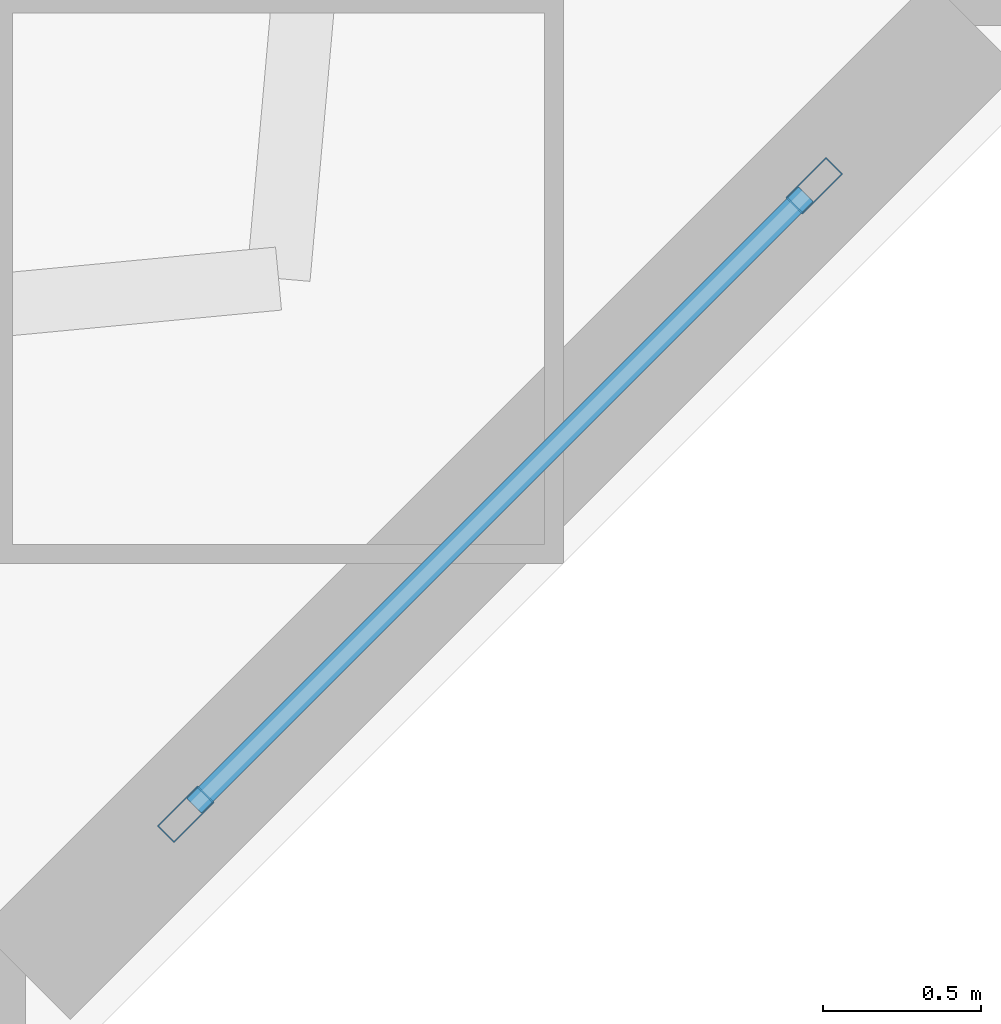
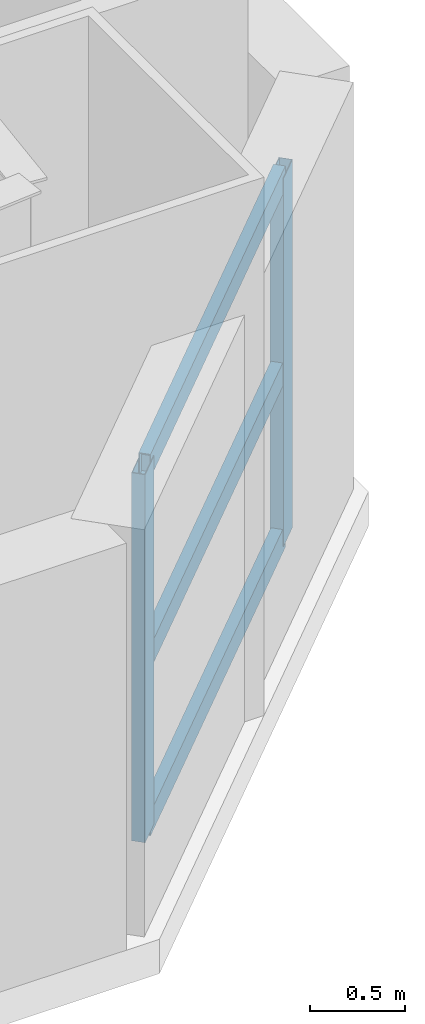
# One storey, part 2 of 19: 5 members, 1 element without a shape of its own.
"""IFC4 building model written with IfcOpenShell, lengths in metres."""

from ifc_helpers import new_model, si_unit, direction, frame, origin, origin_2d, place, context, subcontext, project, spatial, hollow_rectangle, extrude, material, layer, layer_set, material_profile, profile_set, type_object, element, aggregate, save


model = new_model("IFC4")

# Units and contexts
model_context = context("Model", 3, precision=1e-05, world=origin(), true_north=direction((0.0, 1.0)))
body_context = subcontext(model_context, "Body", "Model", "MODEL_VIEW")
ifc_project = project(units=[si_unit("LENGTHUNIT", "METRE"), si_unit("AREAUNIT", "SQUARE_METRE"), si_unit("VOLUMEUNIT", "CUBIC_METRE"), si_unit("PLANEANGLEUNIT", "RADIAN"), si_unit("MASSUNIT", "GRAM", prefix="KILO")], contexts=[model_context])

# Site, building, storey
site_placement = place(None, origin())
site = spatial("IfcSite", under=ifc_project, at=site_placement, CompositionType="ELEMENT")
building_placement = place(site_placement, origin())
building = spatial("IfcBuilding", under=site, at=building_placement, Name="Qiaolan Cultural Towers", CompositionType="ELEMENT")
storey_placement = place(building_placement, frame((0.0, 0.0, 54.050048828125)))
storey = spatial("IfcBuildingStorey", under=building, at=storey_placement, Name="L12", CompositionType="ELEMENT", Elevation=54.050048828125)

# Curtain wall, members
ifc_material_1 = material(Name="Unitized Anodized Aluminium Curtain Wall System", Category="aluminium")
ifc_layer = layer(ifc_material_1, 0.199951171875)
ifc_layer_set = layer_set([ifc_layer], Name="Unitized Anodized Aluminium Curtain Wall System")
curtain_wall_type = type_object("IfcCurtainWallType", Name="CWS-02", PredefinedType="NOTDEFINED", material=ifc_layer_set)
curtain_wall_placement = place(storey_placement, origin())
curtain_wall = element("IfcCurtainWall", 1, at=curtain_wall_placement, inside=storey, type_object=curtain_wall_type, Name="L12 T1 Chamfer Wind-Corner Feature Curtain Wall 2", PredefinedType="NOTDEFINED")
ifc_material_2 = material(Name="Extruded Aluminium 6063-T6", Category="aluminium")
ifc_material_profile_1 = material_profile(ifc_material_2, hollow_rectangle(XDim=0.074951171875, YDim=0.179931640625, WallThickness=0.00390625, at=origin_2d()), Name="CWM-180x75x4")
ifc_profile_set_1 = profile_set([ifc_material_profile_1], Name="Extruded Aluminium 6063-T6")
member_type_1 = type_object("IfcMemberType", Name="CWS-02-MUL", PredefinedType="MULLION", material=ifc_profile_set_1)
member_1_placement = place(storey_placement, frame((49.093505859375, 6.693603515625, 0.14990234375), z_axis=(0.0, 0.0, 1.0), x_axis=(0.707106781187, -0.707106781187, 0.0)))
member_1 = element("IfcMember", 2, at=member_1_placement, type_object=member_type_1, Name="CW-2 mullion 1", PredefinedType="MULLION", context=body_context, shape_type="SweptSolid", body=[
    extrude(hollow_rectangle(XDim=0.074951171875, YDim=0.179931640625, WallThickness=0.00390625, at=origin_2d()), origin(), (0.0, 0.0, 1.0), 2.360107421875),
])
member_2_placement = place(storey_placement, frame((47.1064453125, 4.70654296875, 0.14990234375), z_axis=(0.0, 0.0, 1.0), x_axis=(0.707106781187, -0.707106781187, 0.0)))
member_2 = element("IfcMember", 3, at=member_2_placement, type_object=member_type_1, Name="CW-2 mullion 2", PredefinedType="MULLION", context=body_context, shape_type="SweptSolid", body=[
    extrude(hollow_rectangle(XDim=0.074951171875, YDim=0.179931640625, WallThickness=0.00390625, at=origin_2d()), origin(), (0.0, 0.0, 1.0), 2.360107421875),
])
ifc_material_3 = material(Name="Extruded Aluminium 6063-T6", Category="aluminium")
ifc_material_profile_2 = material_profile(ifc_material_3, hollow_rectangle(XDim=0.06494140625, YDim=0.14990234375, WallThickness=0.00390625, at=origin_2d()), Name="CWT-150x65x4")
ifc_profile_set_2 = profile_set([ifc_material_profile_2], Name="Extruded Aluminium 6063-T6")
member_type_2 = type_object("IfcMemberType", Name="CWS-02-TRN", PredefinedType="USERDEFINED", material=ifc_profile_set_2)
member_3_placement = place(storey_placement, frame((49.06689453125, 6.6669921875, 0.182373046875), z_axis=(-0.707106781187, -0.707106781187, 0.0), x_axis=(0.707106781187, -0.707106781187, 0.0)))
member_3 = element("IfcMember", 4, at=member_3_placement, type_object=member_type_2, Name="CW-2 transom 1.1", ObjectType="TRANSOM", PredefinedType="USERDEFINED", context=body_context, shape_type="SweptSolid", body=[
    extrude(hollow_rectangle(XDim=0.06494140625, YDim=0.14990234375, WallThickness=0.00390625, at=origin_2d()), origin(), (0.0, 0.0, 1.0), 2.73486328125),
])
member_4_placement = place(storey_placement, frame((49.06689453125, 6.6669921875, 1.25), z_axis=(-0.707106781187, -0.707106781187, 0.0), x_axis=(0.707106781187, -0.707106781187, 0.0)))
member_4 = element("IfcMember", 5, at=member_4_placement, type_object=member_type_2, Name="CW-2 transom 1.2", ObjectType="TRANSOM", PredefinedType="USERDEFINED", context=body_context, shape_type="SweptSolid", body=[
    extrude(hollow_rectangle(XDim=0.06494140625, YDim=0.14990234375, WallThickness=0.00390625, at=origin_2d()), origin(), (0.0, 0.0, 1.0), 2.73486328125),
])
member_5_placement = place(storey_placement, frame((49.06689453125, 6.6669921875, 2.4775390625), z_axis=(-0.707106781187, -0.707106781187, 0.0), x_axis=(0.707106781187, -0.707106781187, 0.0)))
member_5 = element("IfcMember", 6, at=member_5_placement, type_object=member_type_2, Name="CW-2 transom 1.3", ObjectType="TRANSOM", PredefinedType="USERDEFINED", context=body_context, shape_type="SweptSolid", body=[
    extrude(hollow_rectangle(XDim=0.06494140625, YDim=0.14990234375, WallThickness=0.00390625, at=origin_2d()), origin(), (0.0, 0.0, 1.0), 2.73486328125),
])
aggregate(curtain_wall, [member_1, member_2, member_3, member_4, member_5])

save(model, "model.ifc")
